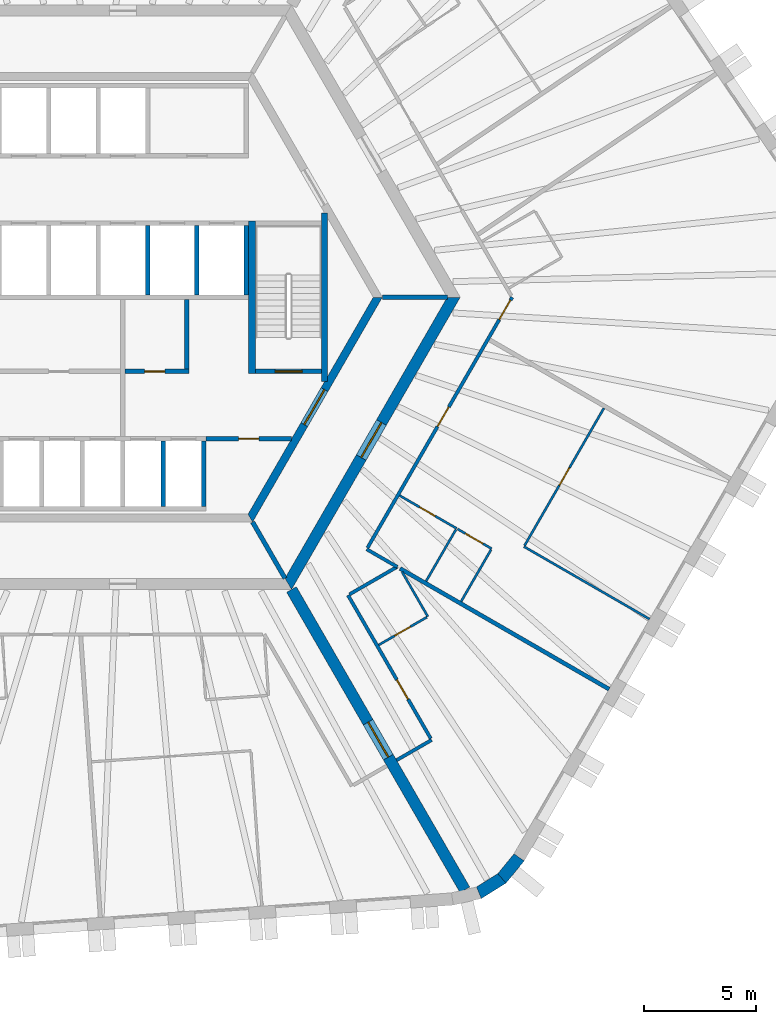
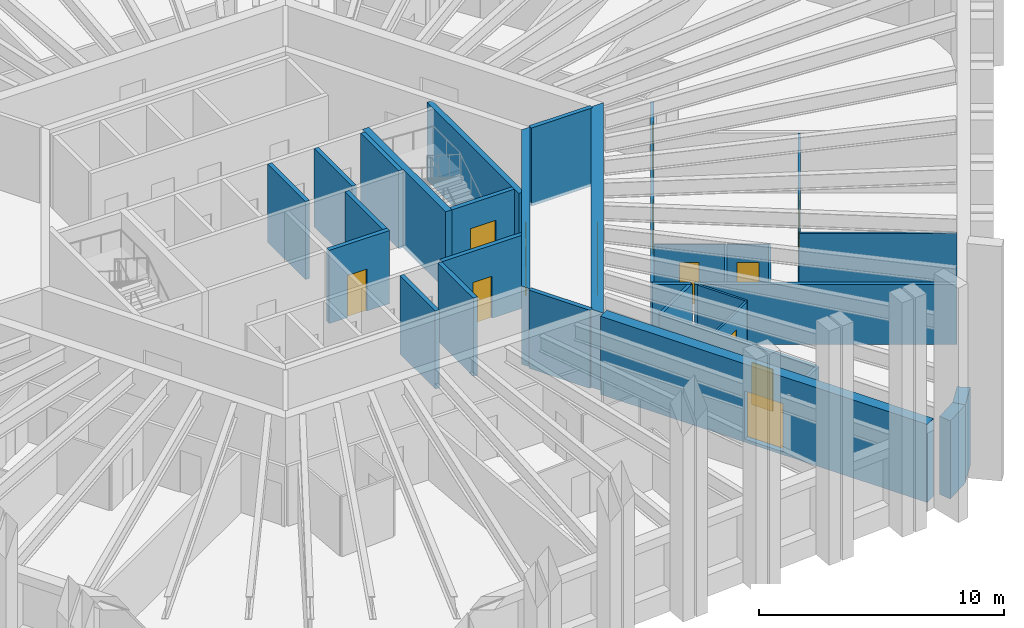
# One storey, part 5 of 10: 32 walls, 13 doors, 13 openings.
"""IFC4 building model written with IfcOpenShell, lengths in metres."""

from ifc_helpers import new_model, si_unit, direction, frame, frame_2d, origin, place, context, subcontext, project, spatial, polyline, rectangle, outline, extrude, material, layer, layer_set, type_object, element, fill, save


model = new_model("IFC4")

# Units and contexts
model_context = context("Model", 3, precision=1e-05, world=origin(), true_north=direction((0.0, 1.0)))
body_context = subcontext(model_context, "Body", "Model", "MODEL_VIEW")
ifc_project = project(units=[si_unit("LENGTHUNIT", "METRE"), si_unit("AREAUNIT", "SQUARE_METRE"), si_unit("VOLUMEUNIT", "CUBIC_METRE"), si_unit("PLANEANGLEUNIT", "RADIAN"), si_unit("MASSUNIT", "GRAM", prefix="KILO")], contexts=[model_context])

# Site, building, storey
site_placement = place(None, origin())
site = spatial("IfcSite", under=ifc_project, at=site_placement, CompositionType="ELEMENT")
building_placement = place(site_placement, origin())
building = spatial("IfcBuilding", under=site, at=building_placement, Name="Tarnside Tower", CompositionType="ELEMENT")
storey_placement = place(building_placement, frame((0.0, 0.0, 164.39990234375)))
storey = spatial("IfcBuildingStorey", under=building, at=storey_placement, Name="L38", CompositionType="ELEMENT", Elevation=164.39990234375)

# Wall
ifc_material_1 = material(Name="Gypsum board partition on steel studs", Category="steel")
ifc_layer_1 = layer(ifc_material_1, 0.10009765625)
ifc_layer_set_1 = layer_set([ifc_layer_1], Name="Bathroom wall 100")
wall_type_1 = type_object("IfcWallType", Name="Bathroom wall 100", PredefinedType="PARTITIONING", material=ifc_layer_set_1)
wall_1_placement = place(storey_placement, frame((12.42626953125, -12.22265625, 0.0), z_axis=(0.0, 0.0, 1.0), x_axis=(0.499959451571, -0.866048813165, 0.0)))
element("IfcWall", 1, at=wall_1_placement, inside=storey, type_object=wall_type_1, Name="Bathroom wall 12086", PredefinedType="PARTITIONING", context=body_context, shape_type="SweptSolid", body=[
    extrude(rectangle(XDim=2.288818359375, YDim=0.10009765625, at=frame_2d((1.14453125, 0.0))), origin(), (0.0, 0.0, 1.0), 2.98779296875),
])

# Wall, opening, door
wall_2_placement = place(storey_placement, frame((13.527099609375, -14.229736328125, 0.0), z_axis=(0.0, 0.0, 1.0), x_axis=(-0.866006523861, -0.500032699561, 0.0)))
wall_2 = element("IfcWall", 2, at=wall_2_placement, inside=storey, type_object=wall_type_1, Name="Bathroom wall 12087", PredefinedType="PARTITIONING", context=body_context, shape_type="SweptSolid", body=[
    extrude(rectangle(XDim=2.474853515625, YDim=0.10009765625, at=frame_2d((1.2373046875, 0.0))), origin(), (0.0, 0.0, 1.0), 2.98779296875),
])
opening_1_placement = place(wall_2_placement, frame((0.85009765625, 0.0, 0.0)))
opening_1 = element("IfcOpeningElement", 3, at=opening_1_placement, cuts=wall_2, Name="Opening D-B1", PredefinedType="OPENING", context=body_context, shape_type="SweptSolid", body=[
    extrude(rectangle(XDim=0.800048828125, YDim=2.10009765625, at=frame_2d((0.39990234375, 1.050048828125))), frame((0.0, 0.06005859375, 0.0), z_axis=(0.0, -1.0, 0.0), x_axis=(1.0, 0.0, 0.0)), (0.0, 0.0, 1.0), 0.1201171875),
])
ifc_material_2 = material(Name="Timber door leaf", Category="wood")
door_type_1 = type_object("IfcDoorType", Name="Bathroom door 800", OperationType="NOTDEFINED", PredefinedType="DOOR", material=ifc_material_2)
door_1_placement = place(opening_1_placement, origin())
door_1 = element("IfcDoor", 4, at=door_1_placement, inside=storey, type_object=door_type_1, Name="Bathroom door 12023", OperationType="SINGLE_SWING_RIGHT", OverallHeight=2.10009765625, OverallWidth=0.800048828125, PredefinedType="DOOR", context=body_context, shape_type="SweptSolid", body=[
    extrude(rectangle(XDim=0.800048828125, YDim=2.10009765625, at=frame_2d((0.39990234375, 1.050048828125))), frame((0.0, 0.02490234375, 0.0), z_axis=(0.0, -1.0, 0.0), x_axis=(1.0, 0.0, 0.0)), (0.0, 0.0, 1.0), 0.050048828125),
])
fill(opening_1, door_1)

wall_3_placement = place(storey_placement, frame((12.314208984375, -8.821044921875, 0.0), z_axis=(0.0, 0.0, 1.0), x_axis=(0.866046596414, -0.499963291492, 0.0)))
wall_3 = element("IfcWall", 5, at=wall_3_placement, inside=storey, type_object=wall_type_1, Name="Bathroom wall 12091", PredefinedType="PARTITIONING", context=body_context, shape_type="SweptSolid", body=[
    extrude(rectangle(XDim=2.925048828125, YDim=0.10009765625, at=frame_2d((1.46240234375, 0.0))), origin(), (0.0, 0.0, 1.0), 2.98779296875),
])
opening_2_placement = place(wall_3_placement, frame((1.02490234375, 0.0, 0.0)))
opening_2 = element("IfcOpeningElement", 6, at=opening_2_placement, cuts=wall_3, Name="Opening D-B1", PredefinedType="OPENING", context=body_context, shape_type="SweptSolid", body=[
    extrude(rectangle(XDim=0.800048828125, YDim=2.10009765625, at=frame_2d((0.39990234375, 1.050048828125))), frame((0.0, 0.06005859375, 0.0), z_axis=(0.0, -1.0, 0.0), x_axis=(1.0, 0.0, 0.0)), (0.0, 0.0, 1.0), 0.1201171875),
])
door_2_placement = place(opening_2_placement, origin())
door_2 = element("IfcDoor", 7, at=door_2_placement, inside=storey, type_object=door_type_1, Name="Bathroom door 12025", OperationType="SINGLE_SWING_RIGHT", OverallHeight=2.10009765625, OverallWidth=0.800048828125, PredefinedType="DOOR", context=body_context, shape_type="SweptSolid", body=[
    extrude(rectangle(XDim=0.800048828125, YDim=2.10009765625, at=frame_2d((0.39990234375, 1.050048828125))), frame((0.0, 0.02490234375, 0.0), z_axis=(0.0, -1.0, 0.0), x_axis=(1.0, 0.0, 0.0)), (0.0, 0.0, 1.0), 0.050048828125),
])
fill(opening_2, door_2)

# Wall
wall_4_placement = place(storey_placement, frame((13.492431640625, -12.63037109375, 0.0), z_axis=(0.0, 0.0, 1.0), x_axis=(0.50004820116, 0.865997573043, 0.0)))
element("IfcWall", 8, at=wall_4_placement, inside=storey, type_object=wall_type_1, Name="Bathroom wall 12097", PredefinedType="PARTITIONING", context=body_context, shape_type="SweptSolid", body=[
    extrude(rectangle(XDim=2.659912109375, YDim=0.10009765625, at=frame_2d((1.330078125, 0.0))), origin(), (0.0, 0.0, 1.0), 2.98779296875),
])

# Wall, opening, door
ifc_material_3 = material(Name="Concrete C50/60", Category="concrete")
ifc_layer_2 = layer(ifc_material_3, 0.35009765625)
ifc_layer_set_2 = layer_set([ifc_layer_2], Name="Core block wall 350 C50/60")
wall_type_2 = type_object("IfcWallType", Name="Core block wall 350 C50/60", PredefinedType="SHEAR", material=ifc_layer_set_2)
wall_5_placement = place(storey_placement, frame((5.672607421875, -9.824951171875, -0.14990234375), z_axis=(0.0, 0.0, 1.0), x_axis=(0.499995046907, 0.866028263435, 0.0)))
wall_5 = element("IfcWall", 9, at=wall_5_placement, inside=storey, type_object=wall_type_2, Name="L38 core block wall face 5", PredefinedType="SHEAR", context=body_context, shape_type="SweptSolid", body=[
    extrude(outline(polyline([(-0.10107421875, -0.175048828125), (11.44580078125, -0.175048828125), (11.24365234375, 0.175048828125), (0.10107421875, 0.175048828125), (-0.10107421875, -0.175048828125)])), origin(), (0.0, 0.0, 1.0), 3.89990234375),
])
opening_3_placement = place(wall_5_placement, frame((4.80126953125, 0.0, 0.14990234375)))
opening_3 = element("IfcOpeningElement", 10, at=opening_3_placement, cuts=wall_5, Name="Opening CD-FFL", PredefinedType="OPENING", context=body_context, shape_type="SweptSolid", body=[
    extrude(rectangle(XDim=1.800048828125, YDim=2.39990234375, at=frame_2d((0.89990234375, 1.199951171875))), frame((0.0, 0.18505859375, 0.0), z_axis=(0.0, -1.0, 0.0), x_axis=(1.0, 0.0, 0.0)), (0.0, 0.0, 1.0), 0.3701171875),
])
ifc_material_4 = material(Name="Steel fire door", Category="steel")
door_type_2 = type_object("IfcDoorType", Name="Firefighting lobby double door FD60S 1800x2400", OperationType="NOTDEFINED", PredefinedType="DOOR", material=ifc_material_4)
door_3_placement = place(opening_3_placement, origin())
door_3 = element("IfcDoor", 11, at=door_3_placement, inside=storey, type_object=door_type_2, Name="L38 lobby block door P4", OperationType="DOUBLE_DOOR_SINGLE_SWING", OverallHeight=2.39990234375, OverallWidth=1.800048828125, PredefinedType="DOOR", context=body_context, shape_type="SweptSolid", body=[
    extrude(rectangle(XDim=1.800048828125, YDim=2.39990234375, at=frame_2d((0.89990234375, 1.199951171875))), frame((0.0, 0.02490234375, 0.0), z_axis=(0.0, -1.0, 0.0), x_axis=(1.0, 0.0, 0.0)), (0.0, 0.0, 1.0), 0.050048828125),
])
fill(opening_3, door_3)

ifc_material_5 = material(Name="Concrete C40/50", Category="concrete")
ifc_layer_3 = layer(ifc_material_5, 0.199951171875)
ifc_layer_set_3 = layer_set([ifc_layer_3], Name="Core room partition 200 C40/50")
wall_type_3 = type_object("IfcWallType", Name="Core room partition 200 C40/50", PredefinedType="PARTITIONING", material=ifc_layer_set_3)
wall_6_placement = place(storey_placement, frame((0.10009765625, -3.300048828125, 0.0), z_axis=(0.0, 0.0, 1.0), x_axis=(1.0, 0.0, 0.0)))
wall_6 = element("IfcWall", 12, at=wall_6_placement, inside=storey, type_object=wall_type_3, Name="L38 core partition R3S1", PredefinedType="PARTITIONING", context=body_context, shape_type="SweptSolid", body=[
    extrude(rectangle(XDim=2.849853515625, YDim=0.199951171875, at=frame_2d((1.4248046875, 0.0))), origin(), (0.0, 0.0, 1.0), 3.650146484375),
])
opening_4_placement = place(wall_6_placement, frame((0.875, 0.0, 0.0)))
opening_4 = element("IfcOpeningElement", 13, at=opening_4_placement, cuts=wall_6, Name="Opening CD-room", PredefinedType="OPENING", context=body_context, shape_type="SweptSolid", body=[
    extrude(rectangle(XDim=0.89990234375, YDim=2.10009765625, at=frame_2d((0.449951171875, 1.050048828125))), frame((0.0, 0.10986328125, 0.0), z_axis=(0.0, -1.0, 0.0), x_axis=(1.0, 0.0, 0.0)), (0.0, 0.0, 1.0), 0.219970703125),
])
door_type_3 = type_object("IfcDoorType", Name="Room door FD60 900x2100", OperationType="NOTDEFINED", PredefinedType="DOOR", material=ifc_material_4)
door_4_placement = place(opening_4_placement, origin())
door_4 = element("IfcDoor", 14, at=door_4_placement, inside=storey, type_object=door_type_3, Name="L38 core room door SR1", OperationType="SINGLE_SWING_LEFT", OverallHeight=2.10009765625, OverallWidth=0.89990234375, PredefinedType="DOOR", context=body_context, shape_type="SweptSolid", body=[
    extrude(rectangle(XDim=0.89990234375, YDim=2.10009765625, at=frame_2d((0.449951171875, 1.050048828125))), frame((0.0, 0.02490234375, 0.0), z_axis=(0.0, -1.0, 0.0), x_axis=(1.0, 0.0, 0.0)), (0.0, 0.0, 1.0), 0.050048828125),
])
fill(opening_4, door_4)

# Wall
wall_7_placement = place(storey_placement, frame((2.85009765625, -3.199951171875, 0.0), z_axis=(0.0, 0.0, 1.0), x_axis=(0.0, 1.0, 0.0)))
element("IfcWall", 15, at=wall_7_placement, inside=storey, type_object=wall_type_3, Name="L38 core partition R3P1b", PredefinedType="PARTITIONING", context=body_context, shape_type="SweptSolid", body=[
    extrude(rectangle(XDim=3.099853515625, YDim=0.199951171875, at=frame_2d((1.5498046875, 0.0))), origin(), (0.0, 0.0, 1.0), 3.650146484375),
])

# Wall, opening, door
wall_8_placement = place(storey_placement, frame((3.699951171875, -6.300048828125, 0.0), z_axis=(0.0, 0.0, 1.0), x_axis=(1.0, 0.0, 0.0)))
wall_8 = element("IfcWall", 16, at=wall_8_placement, inside=storey, type_object=wall_type_3, Name="L38 core partition R4X", PredefinedType="PARTITIONING", context=body_context, shape_type="SweptSolid", body=[
    extrude(rectangle(XDim=3.8056640625, YDim=0.199951171875, at=frame_2d((1.90283203125, 0.0))), origin(), (0.0, 0.0, 1.0), 3.650146484375),
])
opening_5_placement = place(wall_8_placement, frame((1.452880859375, 0.0, 0.0)))
opening_5 = element("IfcOpeningElement", 17, at=opening_5_placement, cuts=wall_8, Name="Opening CD-room", PredefinedType="OPENING", context=body_context, shape_type="SweptSolid", body=[
    extrude(rectangle(XDim=0.89990234375, YDim=2.10009765625, at=frame_2d((0.449951171875, 1.050048828125))), frame((0.0, 0.10986328125, 0.0), z_axis=(0.0, -1.0, 0.0), x_axis=(1.0, 0.0, 0.0)), (0.0, 0.0, 1.0), 0.219970703125),
])
door_5_placement = place(opening_5_placement, origin())
door_5 = element("IfcDoor", 18, at=door_5_placement, inside=storey, type_object=door_type_3, Name="L38 core room door RX", OperationType="SINGLE_SWING_LEFT", OverallHeight=2.10009765625, OverallWidth=0.89990234375, PredefinedType="DOOR", context=body_context, shape_type="SweptSolid", body=[
    extrude(rectangle(XDim=0.89990234375, YDim=2.10009765625, at=frame_2d((0.449951171875, 1.050048828125))), frame((0.0, 0.02490234375, 0.0), z_axis=(0.0, -1.0, 0.0), x_axis=(1.0, 0.0, 0.0)), (0.0, 0.0, 1.0), 0.050048828125),
])
fill(opening_5, door_5)

ifc_material_6 = material(Name="Concrete C70/85", Category="concrete")
ifc_layer_4 = layer(ifc_material_6, 0.5)
ifc_layer_set_4 = layer_set([ifc_layer_4], Name="Core wall Z2 500 C70/85")
wall_type_4 = type_object("IfcWallType", Name="Core wall Z2 500 C70/85", PredefinedType="SHEAR", material=ifc_layer_set_4)
wall_9_placement = place(storey_placement, frame((7.361083984375, -12.75, -0.14990234375), z_axis=(0.0, 0.0, 1.0), x_axis=(0.50000571537, 0.866022103989, 0.0)))
wall_9 = element("IfcWall", 19, at=wall_9_placement, inside=storey, type_object=wall_type_4, Name="L38 core wall face 5", PredefinedType="SHEAR", context=body_context, shape_type="SweptSolid", body=[
    extrude(outline(polyline([(-0.144287109375, -0.25), (14.86669921875, -0.25), (14.578125, 0.25), (0.144287109375, 0.25), (-0.144287109375, -0.25)])), origin(), (0.0, 0.0, 1.0), 3.89990234375),
])
opening_6_placement = place(wall_9_placement, frame((6.489990234375, 0.0, 0.14990234375)))
opening_6 = element("IfcOpeningElement", 20, at=opening_6_placement, cuts=wall_9, Name="Opening CD-FFL", PredefinedType="OPENING", context=body_context, shape_type="SweptSolid", body=[
    extrude(rectangle(XDim=1.800048828125, YDim=2.39990234375, at=frame_2d((0.89990234375, 1.199951171875))), frame((0.0, 0.260009765625, 0.0), z_axis=(0.0, -1.0, 0.0), x_axis=(1.0, 0.0, 0.0)), (0.0, 0.0, 1.0), 0.52001953125),
])
door_6_placement = place(opening_6_placement, origin())
door_6 = element("IfcDoor", 21, at=door_6_placement, inside=storey, type_object=door_type_2, Name="L38 core door P4", OperationType="DOUBLE_DOOR_SINGLE_SWING", OverallHeight=2.39990234375, OverallWidth=1.800048828125, PredefinedType="DOOR", context=body_context, shape_type="SweptSolid", body=[
    extrude(rectangle(XDim=1.800048828125, YDim=2.39990234375, at=frame_2d((0.89990234375, 1.199951171875))), frame((0.0, 0.02490234375, 0.0), z_axis=(0.0, -1.0, 0.0), x_axis=(1.0, 0.0, 0.0)), (0.0, 0.0, 1.0), 0.050048828125),
])
fill(opening_6, door_6)

wall_10_placement = place(storey_placement, frame((7.505615234375, -13.0, -0.14990234375), z_axis=(0.0, 0.0, 1.0), x_axis=(0.499988271576, -0.866032175087, 0.0)))
wall_10 = element("IfcWall", 22, at=wall_10_placement, inside=storey, type_object=wall_type_4, Name="L38 spine wall 3", PredefinedType="SHEAR", context=body_context, shape_type="SweptSolid", body=[
    extrude(rectangle(XDim=15.423583984375, YDim=0.5, at=frame_2d((7.7119140625, 0.0))), origin(), (0.0, 0.0, 1.0), 3.89990234375),
])
opening_7_placement = place(wall_10_placement, frame((6.811767578125, 0.0, 0.14990234375)))
opening_7 = element("IfcOpeningElement", 23, at=opening_7_placement, cuts=wall_10, Name="Opening CD-SPN", PredefinedType="OPENING", context=body_context, shape_type="SweptSolid", body=[
    extrude(rectangle(XDim=1.800048828125, YDim=2.39990234375, at=frame_2d((0.89990234375, 1.199951171875))), frame((0.0, 0.260009765625, 0.0), z_axis=(0.0, -1.0, 0.0), x_axis=(1.0, 0.0, 0.0)), (0.0, 0.0, 1.0), 0.52001953125),
])
door_type_4 = type_object("IfcDoorType", Name="Spine passage double door FD60 1800x2400", OperationType="NOTDEFINED", PredefinedType="DOOR", material=ifc_material_4)
door_7_placement = place(opening_7_placement, origin())
door_7 = element("IfcDoor", 24, at=door_7_placement, inside=storey, type_object=door_type_4, Name="L38 spine passage door 3", OperationType="DOUBLE_DOOR_SINGLE_SWING", OverallHeight=2.39990234375, OverallWidth=1.800048828125, PredefinedType="DOOR", context=body_context, shape_type="SweptSolid", body=[
    extrude(rectangle(XDim=1.800048828125, YDim=2.39990234375, at=frame_2d((0.89990234375, 1.199951171875))), frame((0.0, 0.02490234375, 0.0), z_axis=(0.0, -1.0, 0.0), x_axis=(1.0, 0.0, 0.0)), (0.0, 0.0, 1.0), 0.050048828125),
])
fill(opening_7, door_7)

# Wall
ifc_layer_5 = layer(ifc_material_1, 0.14990234375)
ifc_layer_set_5 = layer_set([ifc_layer_5], Name="Corridor wall 150 EI 60")
wall_type_5 = type_object("IfcWallType", Name="Corridor wall 150 EI 60", PredefinedType="PARTITIONING", material=ifc_layer_set_5)
wall_11_placement = place(storey_placement, frame((12.177978515625, -20.5927734375, 0.0), z_axis=(0.0, 0.0, 1.0), x_axis=(0.866047807691, 0.499961193289, 0.0)))
element("IfcWall", 25, at=wall_11_placement, inside=storey, type_object=wall_type_5, Name="Corridor wall 12028", PredefinedType="PARTITIONING", context=body_context, shape_type="SweptSolid", body=[
    extrude(rectangle(XDim=1.800048828125, YDim=0.14990234375, at=frame_2d((0.89990234375, 0.0))), origin(), (0.0, 0.0, 1.0), 2.98779296875),
])

# Wall, opening, door
wall_12_placement = place(storey_placement, frame((13.69921875, -19.6279296875, 0.0), z_axis=(0.0, 0.0, 1.0), x_axis=(-0.499995202058, 0.86602817386, 0.0)))
wall_12 = element("IfcWall", 26, at=wall_12_placement, inside=storey, type_object=wall_type_5, Name="Corridor wall 12029", PredefinedType="PARTITIONING", context=body_context, shape_type="SweptSolid", body=[
    extrude(rectangle(XDim=7.36083984375, YDim=0.14990234375, at=frame_2d((3.680419921875, 0.0))), origin(), (0.0, 0.0, 1.0), 2.98779296875),
])
opening_8_placement = place(wall_12_placement, frame((2.01806640625, 0.0, 0.0)))
opening_8 = element("IfcOpeningElement", 27, at=opening_8_placement, cuts=wall_12, Name="Opening D-E1", PredefinedType="OPENING", context=body_context, shape_type="SweptSolid", body=[
    extrude(rectangle(XDim=1.0, YDim=2.10009765625, at=frame_2d((0.5, 1.050048828125))), frame((0.0, 0.0849609375, 0.0), z_axis=(0.0, -1.0, 0.0), x_axis=(1.0, 0.0, 0.0)), (0.0, 0.0, 1.0), 0.169921875),
])
door_type_5 = type_object("IfcDoorType", Name="Unit entrance door 1000 FD30S", OperationType="NOTDEFINED", PredefinedType="DOOR", material=ifc_material_2)
door_8_placement = place(opening_8_placement, origin())
door_8 = element("IfcDoor", 28, at=door_8_placement, inside=storey, type_object=door_type_5, Name="Unit door 12022", OperationType="SINGLE_SWING_LEFT", OverallHeight=2.10009765625, OverallWidth=1.0, PredefinedType="DOOR", context=body_context, shape_type="SweptSolid", body=[
    extrude(rectangle(XDim=1.0, YDim=2.10009765625, at=frame_2d((0.5, 1.050048828125))), frame((0.0, 0.02490234375, 0.0), z_axis=(0.0, -1.0, 0.0), x_axis=(1.0, 0.0, 0.0)), (0.0, 0.0, 1.0), 0.050048828125),
])
fill(opening_8, door_8)

# Wall
wall_13_placement = place(storey_placement, frame((10.083740234375, -13.215576171875, 0.0), z_axis=(0.0, 0.0, 1.0), x_axis=(0.866026229868, 0.499998569178, 0.0)))
element("IfcWall", 29, at=wall_13_placement, inside=storey, type_object=wall_type_5, Name="Corridor wall 12031", PredefinedType="PARTITIONING", context=body_context, shape_type="SweptSolid", body=[
    extrude(rectangle(XDim=2.44921875, YDim=0.14990234375, at=frame_2d((1.224609375, 0.0))), origin(), (0.0, 0.0, 1.0), 2.98779296875),
])

# Wall, openings, doors
wall_14_placement = place(storey_placement, frame((10.88671875, -11.1435546875, 0.0), z_axis=(0.0, 0.0, 1.0), x_axis=(0.500006037985, 0.866021917724, 0.0)))
wall_14 = element("IfcWall", 30, at=wall_14_placement, inside=storey, type_object=wall_type_5, Name="Corridor wall 12032", PredefinedType="PARTITIONING", context=body_context, shape_type="SweptSolid", body=[
    extrude(rectangle(XDim=12.867431640625, YDim=0.14990234375, at=frame_2d((6.43359375, 0.0))), origin(), (0.0, 0.0, 1.0), 2.98779296875),
])
opening_9_placement = place(wall_14_placement, frame((6.22509765625, 0.0, 0.0)))
opening_9 = element("IfcOpeningElement", 31, at=opening_9_placement, cuts=wall_14, Name="Opening D-E1", PredefinedType="OPENING", context=body_context, shape_type="SweptSolid", body=[
    extrude(rectangle(XDim=1.0, YDim=2.10009765625, at=frame_2d((0.5, 1.050048828125))), frame((0.0, 0.0849609375, 0.0), z_axis=(0.0, -1.0, 0.0), x_axis=(1.0, 0.0, 0.0)), (0.0, 0.0, 1.0), 0.169921875),
])
opening_10_placement = place(wall_14_placement, frame((11.71728515625, 0.0, 0.0)))
opening_10 = element("IfcOpeningElement", 32, at=opening_10_placement, cuts=wall_14, Name="Opening D-E1", PredefinedType="OPENING", context=body_context, shape_type="SweptSolid", body=[
    extrude(rectangle(XDim=1.0, YDim=2.10009765625, at=frame_2d((0.5, 1.050048828125))), frame((0.0, 0.0849609375, 0.0), z_axis=(0.0, -1.0, 0.0), x_axis=(1.0, 0.0, 0.0)), (0.0, 0.0, 1.0), 0.169921875),
])
door_9_placement = place(opening_9_placement, origin())
door_9 = element("IfcDoor", 33, at=door_9_placement, inside=storey, type_object=door_type_5, Name="Unit door 12024", OperationType="SINGLE_SWING_LEFT", OverallHeight=2.10009765625, OverallWidth=1.0, PredefinedType="DOOR", context=body_context, shape_type="SweptSolid", body=[
    extrude(rectangle(XDim=1.0, YDim=2.10009765625, at=frame_2d((0.5, 1.050048828125))), frame((0.0, 0.02490234375, 0.0), z_axis=(0.0, -1.0, 0.0), x_axis=(1.0, 0.0, 0.0)), (0.0, 0.0, 1.0), 0.050048828125),
])
fill(opening_9, door_9)
door_10_placement = place(opening_10_placement, origin())
door_10 = element("IfcDoor", 34, at=door_10_placement, inside=storey, type_object=door_type_5, Name="Unit door 12028", OperationType="SINGLE_SWING_LEFT", OverallHeight=2.10009765625, OverallWidth=1.0, PredefinedType="DOOR", context=body_context, shape_type="SweptSolid", body=[
    extrude(rectangle(XDim=1.0, YDim=2.10009765625, at=frame_2d((0.5, 1.050048828125))), frame((0.0, 0.02490234375, 0.0), z_axis=(0.0, -1.0, 0.0), x_axis=(1.0, 0.0, 0.0)), (0.0, 0.0, 1.0), 0.050048828125),
])
fill(opening_10, door_10)

# Walls
wall_15_placement = place(storey_placement, frame((12.20751953125, -11.99267578125, 0.0), z_axis=(0.0, 0.0, 1.0), x_axis=(-0.866011891242, 0.50002340368, 0.0)))
element("IfcWall", 35, at=wall_15_placement, inside=storey, type_object=wall_type_5, Name="Corridor wall 12033", PredefinedType="PARTITIONING", context=body_context, shape_type="SweptSolid", body=[
    extrude(rectangle(XDim=1.568359375, YDim=0.14990234375, at=frame_2d((0.7841796875, 0.0))), origin(), (0.0, 0.0, 1.0), 2.98779296875),
])
ifc_layer_6 = layer(ifc_material_1, 0.179931640625)
ifc_layer_set_6 = layer_set([ifc_layer_6], Name="Demising wall 180 EI 60")
wall_type_6 = type_object("IfcWallType", Name="Demising wall 180 EI 60", PredefinedType="PARTITIONING", material=ifc_layer_set_6)
wall_16_placement = place(storey_placement, frame((21.63134765625, -17.433349609375, 0.0), z_axis=(0.0, 0.0, 1.0), x_axis=(-0.866030310389, 0.499991501415, 0.0)))
element("IfcWall", 36, at=wall_16_placement, inside=storey, type_object=wall_type_6, Name="Demising wall 12088", PredefinedType="PARTITIONING", context=body_context, shape_type="SweptSolid", body=[
    extrude(rectangle(XDim=10.735107421875, YDim=0.179931640625, at=frame_2d((5.36767578125, 0.0))), origin(), (0.0, 0.0, 1.0), 2.98779296875),
])
ifc_layer_7 = layer(ifc_material_5, 0.199951171875)
ifc_layer_set_7 = layer_set([ifc_layer_7], Name="Lift shaft wall 200 C40/50")
wall_type_7 = type_object("IfcWallType", Name="Lift shaft wall 200 C40/50", PredefinedType="SHEAR", material=ifc_layer_set_7)
for number, where, z_axis, x_axis, name in (
    (37, (1.10009765625, 0.10009765625, -0.25), (0.0, 0.0, 1.0), (0.0, 1.0, 0.0), "L38 lift shaft partition R24"),
    (38, (3.300048828125, 0.10009765625, -0.25), (0.0, 0.0, 1.0), (0.0, 1.0, 0.0), "L38 lift shaft partition R25"),
    (39, (5.5, 0.10009765625, -0.25), (0.0, 0.0, 1.0), (0.0, 1.0, 0.0), "L38 lift shaft partition R26"),
):
    element("IfcWall", number, at=place(storey_placement, frame(where, z_axis=z_axis, x_axis=x_axis)), inside=storey, type_object=wall_type_7, Name=name, PredefinedType="SHEAR", context=body_context, shape_type="SweptSolid", body=[
        extrude(rectangle(XDim=3.099853515625, YDim=0.199951171875, at=frame_2d((1.5498046875, 0.0))), origin(), (0.0, 0.0, 1.0), 3.900146484375),
    ])
for number, where, z_axis, x_axis, name in (
    (40, (1.800048828125, -9.300048828125, -0.25), (0.0, 0.0, 1.0), (0.0, 1.0, 0.0), "L38 lift shaft partition R45"),
    (41, (3.60009765625, -9.300048828125, -0.25), (0.0, 0.0, 1.0), (0.0, 1.0, 0.0), "L38 lift shaft partition R46"),
):
    element("IfcWall", number, at=place(storey_placement, frame(where, z_axis=z_axis, x_axis=x_axis)), inside=storey, type_object=wall_type_7, Name=name, PredefinedType="SHEAR", context=body_context, shape_type="SweptSolid", body=[
        extrude(rectangle(XDim=2.900146484375, YDim=0.199951171875, at=frame_2d((1.4501953125, 0.0))), origin(), (0.0, 0.0, 1.0), 3.900146484375),
    ])
for number, where, z_axis, x_axis, name in (
    (42, (11.547119140625, 0.0, -0.14990234375), (0.0, 0.0, 1.0), (1.0, 0.0, 0.0), "L38 core partition AR0"),
    (43, (5.7734375, -10.0, -0.14990234375), (0.0, 0.0, 1.0), (0.499995765644, -0.866027848477, 0.0), "L38 core partition AR300"),
):
    element("IfcWall", number, at=place(storey_placement, frame(where, z_axis=z_axis, x_axis=x_axis)), inside=storey, type_object=wall_type_7, Name=name, PredefinedType="SHEAR", context=body_context, shape_type="SweptSolid", body=[
        extrude(rectangle(XDim=2.88671875, YDim=0.199951171875, at=frame_2d((1.443359375, 0.0))), origin(), (0.0, 0.0, 1.0), 3.89990234375),
    ])

# Wall, opening, door
wall_17_placement = place(storey_placement, frame((5.89990234375, -3.300048828125, -0.25), z_axis=(0.0, 0.0, 1.0), x_axis=(1.0, 0.0, 0.0)))
wall_17 = element("IfcWall", 44, at=wall_17_placement, inside=storey, type_object=wall_type_7, Name="L38 stair 1 enclosure cap wall s", PredefinedType="SHEAR", context=body_context, shape_type="SweptSolid", body=[
    extrude(rectangle(XDim=2.9501953125, YDim=0.199951171875, at=frame_2d((1.47509765625, 0.0))), origin(), (0.0, 0.0, 1.0), 3.900146484375),
])
opening_11_placement = place(wall_17_placement, frame((0.875, 0.0, 0.25)))
opening_11 = element("IfcOpeningElement", 45, at=opening_11_placement, cuts=wall_17, Name="Opening CD-STR", PredefinedType="OPENING", context=body_context, shape_type="SweptSolid", body=[
    extrude(rectangle(XDim=1.199951171875, YDim=2.39990234375, at=frame_2d((0.60009765625, 1.199951171875))), frame((0.0, 0.10986328125, 0.0), z_axis=(0.0, -1.0, 0.0), x_axis=(1.0, 0.0, 0.0)), (0.0, 0.0, 1.0), 0.219970703125),
])
door_type_6 = type_object("IfcDoorType", Name="Stair door FD60S 1200x2400", OperationType="NOTDEFINED", PredefinedType="DOOR", material=ifc_material_4)
door_11_placement = place(opening_11_placement, origin())
door_11 = element("IfcDoor", 46, at=door_11_placement, inside=storey, type_object=door_type_6, Name="L38 stair 1 door", OperationType="SINGLE_SWING_LEFT", OverallHeight=2.39990234375, OverallWidth=1.199951171875, PredefinedType="DOOR", context=body_context, shape_type="SweptSolid", body=[
    extrude(rectangle(XDim=1.199951171875, YDim=2.39990234375, at=frame_2d((0.60009765625, 1.199951171875))), frame((0.0, 0.02490234375, 0.0), z_axis=(0.0, -1.0, 0.0), x_axis=(1.0, 0.0, 0.0)), (0.0, 0.0, 1.0), 0.050048828125),
])
fill(opening_11, door_11)

ifc_layer_8 = layer(ifc_material_1, 0.10009765625)
ifc_layer_set_8 = layer_set([ifc_layer_8], Name="Partition 100")
wall_type_8 = type_object("IfcWallType", Name="Partition 100", PredefinedType="PARTITIONING", material=ifc_layer_set_8)
wall_18_placement = place(storey_placement, frame((14.890625, -10.30859375, 0.0), z_axis=(0.0, 0.0, 1.0), x_axis=(0.866036909293, -0.499980071345, 0.0)))
wall_18 = element("IfcWall", 47, at=wall_18_placement, inside=storey, type_object=wall_type_8, Name="Partition wall 12092", PredefinedType="PARTITIONING", context=body_context, shape_type="SweptSolid", body=[
    extrude(rectangle(XDim=1.75, YDim=0.10009765625, at=frame_2d((0.875, 0.0))), origin(), (0.0, 0.0, 1.0), 2.98779296875),
])
opening_12_placement = place(wall_18_placement, frame((0.39990234375, 0.0, 0.0)))
opening_12 = element("IfcOpeningElement", 48, at=opening_12_placement, cuts=wall_18, Name="Opening D-I1", PredefinedType="OPENING", context=body_context, shape_type="SweptSolid", body=[
    extrude(rectangle(XDim=0.89990234375, YDim=2.10009765625, at=frame_2d((0.449951171875, 1.050048828125))), frame((0.0, 0.06005859375, 0.0), z_axis=(0.0, -1.0, 0.0), x_axis=(1.0, 0.0, 0.0)), (0.0, 0.0, 1.0), 0.1201171875),
])
door_type_7 = type_object("IfcDoorType", Name="Internal door 900", OperationType="NOTDEFINED", PredefinedType="DOOR", material=ifc_material_2)
door_12_placement = place(opening_12_placement, origin())
door_12 = element("IfcDoor", 49, at=door_12_placement, inside=storey, type_object=door_type_7, Name="Internal door 12026", OperationType="SINGLE_SWING_RIGHT", OverallHeight=2.10009765625, OverallWidth=0.89990234375, PredefinedType="DOOR", context=body_context, shape_type="SweptSolid", body=[
    extrude(rectangle(XDim=0.89990234375, YDim=2.10009765625, at=frame_2d((0.449951171875, 1.050048828125))), frame((0.0, 0.02490234375, 0.0), z_axis=(0.0, -1.0, 0.0), x_axis=(1.0, 0.0, 0.0)), (0.0, 0.0, 1.0), 0.050048828125),
])
fill(opening_12, door_12)

# Walls
wall_19_placement = place(storey_placement, frame((16.38134765625, -11.226806640625, 0.0), z_axis=(0.0, 0.0, 1.0), x_axis=(-0.500008456887, -0.866020521143, 0.0)))
element("IfcWall", 50, at=wall_19_placement, inside=storey, type_object=wall_type_8, Name="Partition wall 12093", PredefinedType="PARTITIONING", context=body_context, shape_type="SweptSolid", body=[
    extrude(rectangle(XDim=2.66015625, YDim=0.10009765625, at=frame_2d((1.330078125, 0.0))), origin(), (0.0, 0.0, 1.0), 2.98779296875),
])
wall_20_placement = place(storey_placement, frame((23.431396484375, -14.315673828125, 0.0), z_axis=(0.0, 0.0, 1.0), x_axis=(-0.86603809205, 0.499978022635, 0.0)))
element("IfcWall", 51, at=wall_20_placement, inside=storey, type_object=wall_type_8, Name="Partition wall 12094", PredefinedType="PARTITIONING", context=body_context, shape_type="SweptSolid", body=[
    extrude(rectangle(XDim=6.449951171875, YDim=0.10009765625, at=frame_2d((3.22509765625, 0.0))), origin(), (0.0, 0.0, 1.0), 2.98779296875),
])

# Wall, opening, door
wall_21_placement = place(storey_placement, frame((17.870361328125, -11.04736328125, 0.0), z_axis=(0.0, 0.0, 1.0), x_axis=(0.500010820671, 0.866019156377, 0.0)))
wall_21 = element("IfcWall", 52, at=wall_21_placement, inside=storey, type_object=wall_type_8, Name="Partition wall 12095", PredefinedType="PARTITIONING", context=body_context, shape_type="SweptSolid", body=[
    extrude(rectangle(XDim=7.059814453125, YDim=0.10009765625, at=frame_2d((3.52978515625, 0.0))), origin(), (0.0, 0.0, 1.0), 2.98779296875),
])
opening_13_placement = place(wall_21_placement, frame((3.10009765625, 0.0, 0.0)))
opening_13 = element("IfcOpeningElement", 53, at=opening_13_placement, cuts=wall_21, Name="Opening D-I1", PredefinedType="OPENING", context=body_context, shape_type="SweptSolid", body=[
    extrude(rectangle(XDim=0.89990234375, YDim=2.10009765625, at=frame_2d((0.449951171875, 1.050048828125))), frame((0.0, 0.06005859375, 0.0), z_axis=(0.0, -1.0, 0.0), x_axis=(1.0, 0.0, 0.0)), (0.0, 0.0, 1.0), 0.1201171875),
])
door_13_placement = place(opening_13_placement, origin())
door_13 = element("IfcDoor", 54, at=door_13_placement, inside=storey, type_object=door_type_7, Name="Internal door 12027", OperationType="SINGLE_SWING_LEFT", OverallHeight=2.10009765625, OverallWidth=0.89990234375, PredefinedType="DOOR", context=body_context, shape_type="SweptSolid", body=[
    extrude(rectangle(XDim=0.89990234375, YDim=2.10009765625, at=frame_2d((0.449951171875, 1.050048828125))), frame((0.0, 0.02490234375, 0.0), z_axis=(0.0, -1.0, 0.0), x_axis=(1.0, 0.0, 0.0)), (0.0, 0.0, 1.0), 0.050048828125),
])
fill(opening_13, door_13)

# Walls
ifc_layer_9 = layer(ifc_material_5, 0.25)
ifc_layer_set_9 = layer_set([ifc_layer_9], Name="Stair enclosure wall 250 C40/50")
wall_type_9 = type_object("IfcWallType", Name="Stair enclosure wall 250 C40/50", PredefinedType="SHEAR", material=ifc_layer_set_9)
wall_22_placement = place(storey_placement, frame((8.97509765625, -3.7548828125, -0.25), z_axis=(0.0, 0.0, 1.0), x_axis=(0.0, 1.0, 0.0)))
element("IfcWall", 55, at=wall_22_placement, inside=storey, type_object=wall_type_9, Name="L38 stair 1 enclosure wall outer", PredefinedType="SHEAR", context=body_context, shape_type="SweptSolid", body=[
    extrude(rectangle(XDim=7.509765625, YDim=0.25, at=frame_2d((3.7548828125, 0.0))), origin(), (0.0, 0.0, 1.0), 3.900146484375),
])
ifc_layer_10 = layer(ifc_material_5, 0.300048828125)
ifc_layer_set_10 = layer_set([ifc_layer_10], Name="Stair enclosure wall 300 C40/50")
wall_type_10 = type_object("IfcWallType", Name="Stair enclosure wall 300 C40/50", PredefinedType="SHEAR", material=ifc_layer_set_10)
wall_23_placement = place(storey_placement, frame((5.75, -3.39990234375, -0.25), z_axis=(0.0, 0.0, 1.0), x_axis=(0.0, 1.0, 0.0)))
element("IfcWall", 56, at=wall_23_placement, inside=storey, type_object=wall_type_10, Name="L38 stair 1 enclosure wall inner", PredefinedType="SHEAR", context=body_context, shape_type="SweptSolid", body=[
    extrude(rectangle(XDim=6.7998046875, YDim=0.300048828125, at=frame_2d((3.39990234375, 0.0))), origin(), (0.0, 0.0, 1.0), 3.900146484375),
])
ifc_material_7 = material(Name="Facing brick", Category="masonry")
ifc_layer_11 = layer(ifc_material_7, 0.10205078125)
ifc_material_8 = material(Name="Concrete C60/75 precast", Category="concrete")
ifc_layer_12 = layer(ifc_material_8, 0.347900390625)
ifc_material_9 = material(Name="Mineral wool insulation")
ifc_layer_13 = layer(ifc_material_9, 0.10009765625)
ifc_layer_set_11 = layer_set([ifc_layer_11, ifc_layer_12, ifc_layer_13], Name="Tube wall 550 brick faced")
wall_type_11 = type_object("IfcWallType", Name="Tube wall 550 brick faced", PredefinedType="SOLIDWALL", material=ifc_layer_set_11)
wall_24_placement = place(storey_placement, frame((15.839599609375, -26.48876953125, -0.14990234375), z_axis=(0.0, 0.0, 1.0), x_axis=(0.848009655012, 0.52998077796, 0.0)))
element("IfcWall", 57, at=wall_24_placement, inside=storey, type_object=wall_type_11, Name="Tube wall L38 F4 chord 14", PredefinedType="SOLIDWALL", context=body_context, shape_type="SweptSolid", body=[
    extrude(outline(polyline([(-0.045166015625, -0.27490234375), (1.25341796875, -0.27490234375), (1.1630859375, 0.27490234375), (0.045166015625, 0.27490234375), (-0.045166015625, -0.27490234375)])), origin(), (0.0, 0.0, 1.0), 3.89990234375),
])
wall_25_placement = place(storey_placement, frame((16.8642578125, -25.848388671875, -0.14990234375), z_axis=(0.0, 0.0, 1.0), x_axis=(0.633842757806, 0.773461930787, 0.0)))
element("IfcWall", 58, at=wall_25_placement, inside=storey, type_object=wall_type_11, Name="Tube wall L38 F4 chord 15", PredefinedType="SOLIDWALL", context=body_context, shape_type="SweptSolid", body=[
    extrude(outline(polyline([(-0.045166015625, -0.27490234375), (1.230712890625, -0.27490234375), (1.185791015625, 0.27490234375), (0.045166015625, 0.27490234375), (-0.045166015625, -0.27490234375)])), origin(), (0.0, 0.0, 1.0), 3.89990234375),
])

save(model, "model.ifc")
